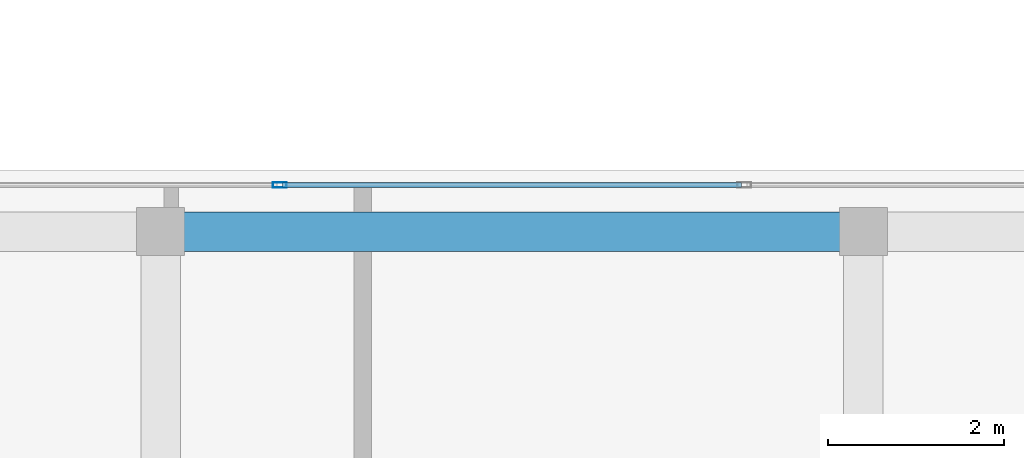
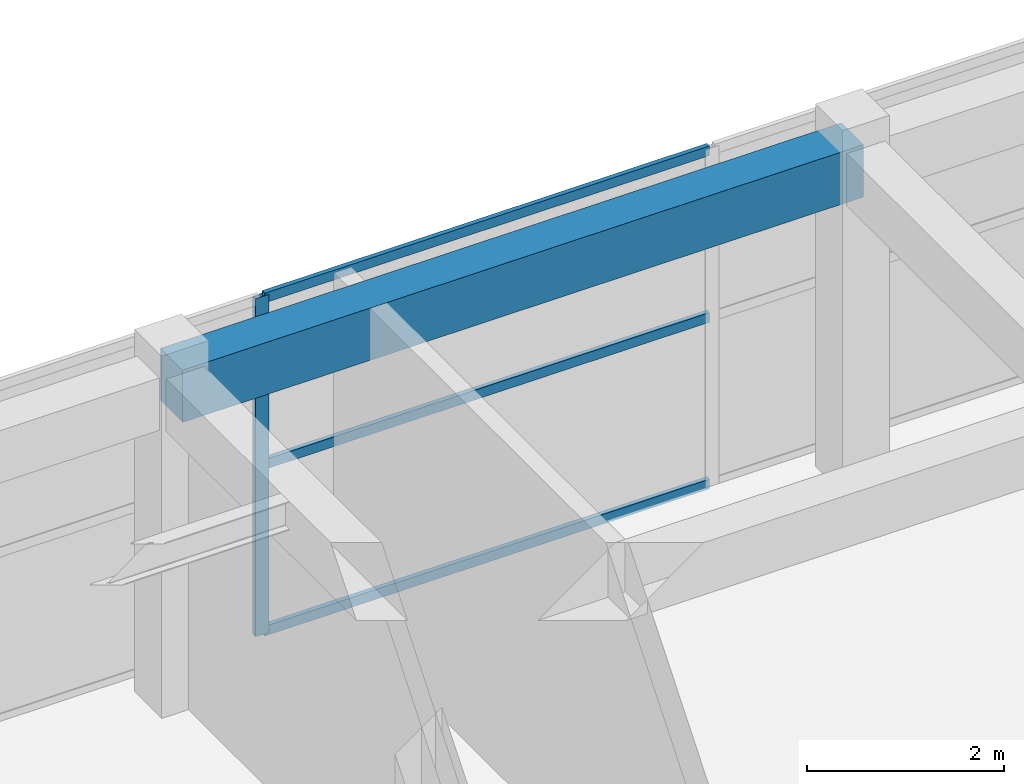
# One storey, part 16 of 26: 4 members, 1 beam, 1 element without a shape of its own.
"""IFC4 building model written with IfcOpenShell, lengths in metres."""

from ifc_helpers import new_model, si_unit, direction, frame, origin, origin_2d, place, context, subcontext, project, spatial, rectangle, hollow_rectangle, extrude, source, transform, mapped, material, layer, layer_set, material_profile, profile_set, type_object, element, aggregate, save


model = new_model("IFC4")

# Units and contexts
model_context = context("Model", 3, precision=1e-05, world=origin(), true_north=direction((0.0, 1.0)))
body_context = subcontext(model_context, "Body", "Model", "MODEL_VIEW")
ifc_project = project(units=[si_unit("LENGTHUNIT", "METRE"), si_unit("AREAUNIT", "SQUARE_METRE"), si_unit("VOLUMEUNIT", "CUBIC_METRE"), si_unit("PLANEANGLEUNIT", "RADIAN"), si_unit("MASSUNIT", "GRAM", prefix="KILO")], contexts=[model_context])

# Site, building, storey
site_placement = place(None, origin())
site = spatial("IfcSite", under=ifc_project, at=site_placement, CompositionType="ELEMENT")
building_placement = place(site_placement, origin())
building = spatial("IfcBuilding", under=site, at=building_placement, Name="Khoralis Quay Care Tower", CompositionType="ELEMENT")
storey_placement = place(building_placement, frame((0.0, 0.0, 13.5)))
storey = spatial("IfcBuildingStorey", under=building, at=storey_placement, Name="L03", CompositionType="ELEMENT", Elevation=13.5)

# Beam
ifc_material_1 = material(Name="Concrete C40/50", Category="concrete")
ifc_material_profile_1 = material_profile(ifc_material_1, rectangle(XDim=0.449951171875, YDim=0.64990234375, at=origin_2d()), Name="Concrete C40/50")
ifc_profile_set_1 = profile_set([ifc_material_profile_1], Name="Concrete C40/50")
beam_type = type_object("IfcBeamType", Name="BM-RC450X650", PredefinedType="BEAM", material=ifc_profile_set_1)
shared_shape_1 = source(origin(), body_context, "Body", "SweptSolid", [
    extrude(rectangle(XDim=0.449951171875, YDim=0.64990234375, at=origin_2d()), origin(), (0.0, 0.0, 1.0), 8.0),
])
beam_placement = place(storey_placement, frame((84.0, 41.300048828125, 3.875), z_axis=(1.0, 0.0, 0.0), x_axis=(0.0, 1.0, 0.0)))
element("IfcBeam", 1, at=beam_placement, inside=storey, type_object=beam_type, Name="BM-SCX-L03-21", PredefinedType="BEAM", context=body_context, shape_type="MappedRepresentation", body=[
    mapped(shared_shape_1, transform((0.0, 0.0, 0.0), scale=1.0)),
])

# Curtain wall, members
ifc_material_2 = material(Name="Pale anodised aluminium", Category="aluminium")
ifc_layer = layer(ifc_material_2, 0.14990234375)
ifc_layer_set = layer_set([ifc_layer], Name="Pale anodised aluminium")
curtain_wall_type = type_object("IfcCurtainWallType", Name="CW-SYS-SCHOOL", PredefinedType="NOTDEFINED", material=ifc_layer_set)
curtain_wall_placement = place(storey_placement, origin())
curtain_wall = element("IfcCurtainWall", 2, at=curtain_wall_placement, inside=storey, type_object=curtain_wall_type, Name="L03 Unitised Curtain Wall CW-SCH-L03-E3", PredefinedType="NOTDEFINED")
ifc_material_profile_2 = material_profile(ifc_material_2, hollow_rectangle(XDim=0.06005859375, YDim=0.159912109375, WallThickness=0.00390625, at=origin_2d()), Name="Pale anodised aluminium")
ifc_profile_set_2 = profile_set([ifc_material_profile_2], Name="Pale anodised aluminium")
member_type_1 = type_object("IfcMemberType", Name="CW-MUL-160", PredefinedType="MULLION", material=ifc_profile_set_2)
shared_shape_2 = source(origin(), body_context, "Body", "SweptSolid", [
    extrude(hollow_rectangle(XDim=0.06005859375, YDim=0.159912109375, WallThickness=0.00390625, at=origin_2d()), origin(), (0.0, 0.0, 1.0), 4.199951171875),
])
member_1_placement = place(storey_placement, frame((85.35595703125, 41.830078125, 0.0), z_axis=(0.0, 0.0, 1.0), x_axis=(0.0, -1.0, 0.0)))
member_1 = element("IfcMember", 3, at=member_1_placement, type_object=member_type_1, Name="CW6 mullion 3", PredefinedType="MULLION", context=body_context, shape_type="MappedRepresentation", body=[
    mapped(shared_shape_2, transform((0.0, 0.0, 0.0), scale=1.0)),
])
ifc_material_profile_3 = material_profile(ifc_material_2, hollow_rectangle(XDim=0.054931640625, YDim=0.1201171875, WallThickness=0.00390625, at=origin_2d()), Name="Pale anodised aluminium")
ifc_profile_set_3 = profile_set([ifc_material_profile_3], Name="Pale anodised aluminium")
member_type_2 = type_object("IfcMemberType", Name="CW-TRN-120", PredefinedType="USERDEFINED", material=ifc_profile_set_3)
shared_shape_3 = source(origin(), body_context, "Body", "SweptSolid", [
    extrude(hollow_rectangle(XDim=0.054931640625, YDim=0.1201171875, WallThickness=0.00390625, at=origin_2d()), origin(), (0.0, 0.0, 1.0), 5.22802734375),
])
member_2_placement = place(storey_placement, frame((90.614013671875, 41.830078125, 0.030029296875), z_axis=(-1.0, 0.0, 0.0), x_axis=(0.0, -1.0, 0.0)))
member_2 = element("IfcMember", 4, at=member_2_placement, type_object=member_type_2, Name="CW6 transom 2.1", ObjectType="TRANSOM", PredefinedType="USERDEFINED", context=body_context, shape_type="MappedRepresentation", body=[
    mapped(shared_shape_3, transform((0.0, 0.0, 0.0), scale=1.0)),
])
member_3_placement = place(storey_placement, frame((90.614013671875, 41.830078125, 2.10009765625), z_axis=(-1.0, 0.0, 0.0), x_axis=(0.0, -1.0, 0.0)))
member_3 = element("IfcMember", 5, at=member_3_placement, type_object=member_type_2, Name="CW6 transom 2.2", ObjectType="TRANSOM", PredefinedType="USERDEFINED", context=body_context, shape_type="MappedRepresentation", body=[
    mapped(shared_shape_3, transform((0.0, 0.0, 0.0), scale=1.0)),
])
member_4_placement = place(storey_placement, frame((90.614013671875, 41.830078125, 4.169921875), z_axis=(-1.0, 0.0, 0.0), x_axis=(0.0, -1.0, 0.0)))
member_4 = element("IfcMember", 6, at=member_4_placement, type_object=member_type_2, Name="CW6 transom 2.3", ObjectType="TRANSOM", PredefinedType="USERDEFINED", context=body_context, shape_type="MappedRepresentation", body=[
    mapped(shared_shape_3, transform((0.0, 0.0, 0.0), scale=1.0)),
])
aggregate(curtain_wall, [member_1, member_2, member_3, member_4])

save(model, "model.ifc")
